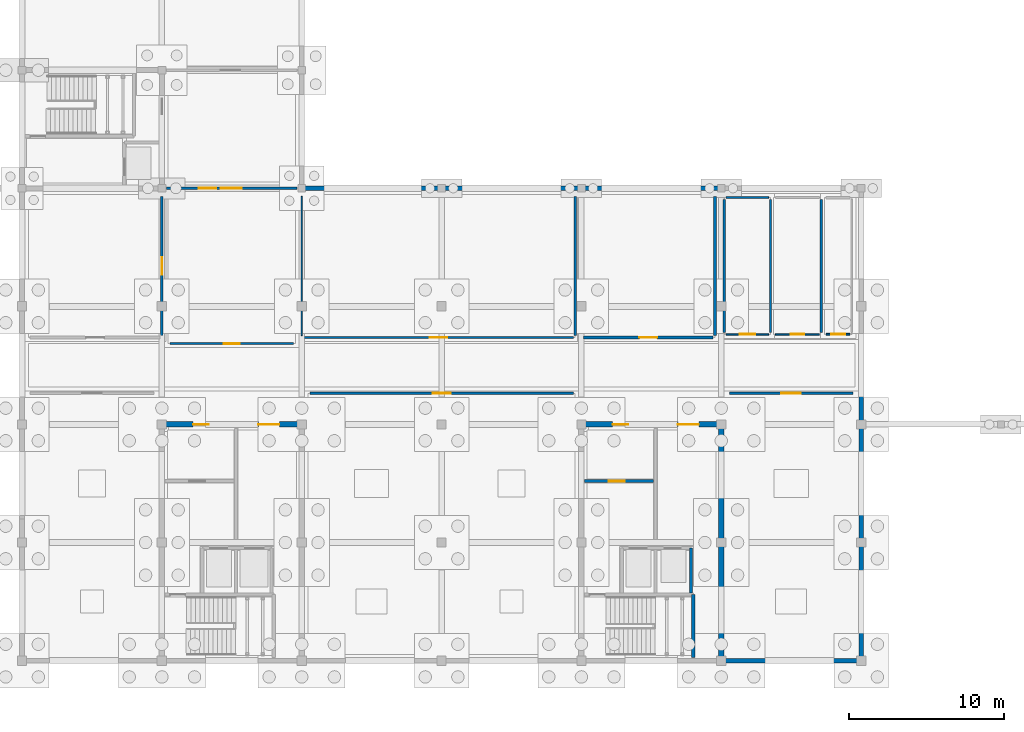
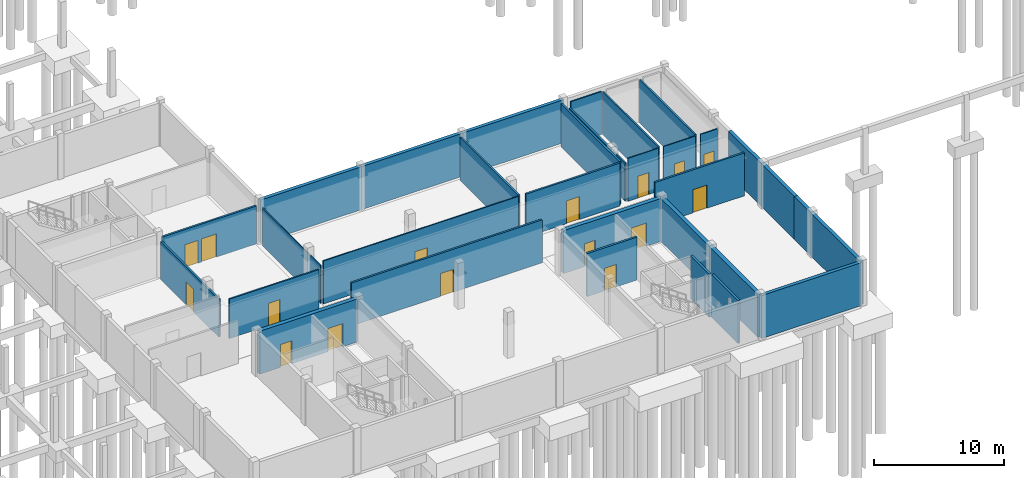
# One storey, part 24 of 28: 29 walls, 16 doors, 16 openings.
"""IFC4 building model written with IfcOpenShell, lengths in metres."""

from ifc_helpers import new_model, si_unit, direction, frame, frame_2d, origin, place, context, subcontext, project, spatial, rectangle, extrude, material, layer, layer_set, type_object, element, fill, save


model = new_model("IFC4")

# Units and contexts
model_context = context("Model", 3, precision=1e-05, world=origin(), true_north=direction((0.0, 1.0)))
body_context = subcontext(model_context, "Body", "Model", "MODEL_VIEW")
ifc_project = project(units=[si_unit("LENGTHUNIT", "METRE"), si_unit("AREAUNIT", "SQUARE_METRE"), si_unit("VOLUMEUNIT", "CUBIC_METRE"), si_unit("PLANEANGLEUNIT", "RADIAN"), si_unit("MASSUNIT", "GRAM", prefix="KILO")], contexts=[model_context])

# Site, building, storey
site_placement = place(None, origin())
site = spatial("IfcSite", under=ifc_project, at=site_placement, CompositionType="ELEMENT")
building_placement = place(site_placement, origin())
building = spatial("IfcBuilding", under=site, at=building_placement, Name="Caisbarro Railhouse Central Library", CompositionType="ELEMENT")
storey_placement = place(building_placement, frame((0.0, 0.0, -4.320068359375)))
storey = spatial("IfcBuildingStorey", under=building, at=storey_placement, Name="B01", CompositionType="ELEMENT", Elevation=-4.320068359375)

# Wall, openings, doors
ifc_material_1 = material(Name="Concrete C40", Category="concrete")
ifc_layer_1 = layer(ifc_material_1, 0.35009765625, Name="Concrete C40")
ifc_layer_set_1 = layer_set([ifc_layer_1], Name="Concrete C40")
wall_type_1 = type_object("IfcWallType", Name="WAL-CW35", PredefinedType="SHEAR", material=ifc_layer_set_1)
wall_1_placement = place(storey_placement, frame((63.159912109375, 15.199951171875, 0.0), z_axis=(0.0, 0.0, 1.0), x_axis=(1.0, 0.0, 0.0)))
wall_1 = element("IfcWall", 1, at=wall_1_placement, inside=storey, type_object=wall_type_1, Name="CW35 RC core shear wall B01 #1", PredefinedType="SHEAR", context=body_context, shape_type="SweptSolid", body=[
    extrude(rectangle(XDim=8.68017578125, YDim=0.35009765625, at=frame_2d((4.340087890625, 0.0))), origin(), (0.0, 0.0, 1.0), 4.0400390625),
])
opening_1_placement = place(wall_1_placement, frame((1.85009765625, 0.0, 0.0)))
opening_1 = element("IfcOpeningElement", 2, at=opening_1_placement, cuts=wall_1, Name="Opening FD05", PredefinedType="OPENING", context=body_context, shape_type="SweptSolid", body=[
    extrude(rectangle(XDim=1.0, YDim=2.14990234375, at=frame_2d((0.5, 1.074951171875))), frame((0.0, 0.18505859375, 0.0), z_axis=(0.0, -1.0, 0.0), x_axis=(1.0, 0.0, 0.0)), (0.0, 0.0, 1.0), 0.3701171875),
])
opening_2_placement = place(wall_1_placement, frame((6.050048828125, 0.0, 0.0)))
opening_2 = element("IfcOpeningElement", 3, at=opening_2_placement, cuts=wall_1, Name="Opening FD06", PredefinedType="OPENING", context=body_context, shape_type="SweptSolid", body=[
    extrude(rectangle(XDim=1.35009765625, YDim=2.179931640625, at=frame_2d((0.675048828125, 1.08984375))), frame((0.0, 0.18505859375, 0.0), z_axis=(0.0, -1.0, 0.0), x_axis=(1.0, 0.0, 0.0)), (0.0, 0.0, 1.0), 0.3701171875),
])
ifc_material_2 = material(Name="Fire-rated painted galvanised steel", Category="steel")
door_type_1 = type_object("IfcDoorType", Name="DR-FD05", OperationType="NOTDEFINED", PredefinedType="DOOR", material=ifc_material_2)
door_1_placement = place(opening_1_placement, origin())
door_1 = element("IfcDoor", 4, at=door_1_placement, inside=storey, type_object=door_type_1, Name="Core K1 Vestibule Door FD05 B01-005", OperationType="SINGLE_SWING_LEFT", OverallHeight=2.14990234375, OverallWidth=1.0, PredefinedType="DOOR", context=body_context, shape_type="SweptSolid", body=[
    extrude(rectangle(XDim=1.0, YDim=2.14990234375, at=frame_2d((0.5, 1.074951171875))), frame((0.0, 0.02490234375, 0.0), z_axis=(0.0, -1.0, 0.0), x_axis=(1.0, 0.0, 0.0)), (0.0, 0.0, 1.0), 0.050048828125),
])
fill(opening_1, door_1)
door_type_2 = type_object("IfcDoorType", Name="DR-FD06", OperationType="NOTDEFINED", PredefinedType="DOOR", material=ifc_material_2)
door_2_placement = place(opening_2_placement, origin())
door_2 = element("IfcDoor", 5, at=door_2_placement, inside=storey, type_object=door_type_2, Name="Core K1 Lift Lobby Door FD06 B01-006", OperationType="SINGLE_SWING_RIGHT", OverallHeight=2.179931640625, OverallWidth=1.35009765625, PredefinedType="DOOR", context=body_context, shape_type="SweptSolid", body=[
    extrude(rectangle(XDim=1.35009765625, YDim=2.179931640625, at=frame_2d((0.675048828125, 1.08984375))), frame((0.0, 0.02490234375, 0.0), z_axis=(0.0, -1.0, 0.0), x_axis=(1.0, 0.0, 0.0)), (0.0, 0.0, 1.0), 0.050048828125),
])
fill(opening_2, door_2)

wall_2_placement = place(storey_placement, frame((90.159912109375, 15.199951171875, 0.0), z_axis=(0.0, 0.0, 1.0), x_axis=(1.0, 0.0, 0.0)))
wall_2 = element("IfcWall", 6, at=wall_2_placement, inside=storey, type_object=wall_type_1, Name="CW35 RC core shear wall B01 #20", PredefinedType="SHEAR", context=body_context, shape_type="SweptSolid", body=[
    extrude(rectangle(XDim=8.68017578125, YDim=0.35009765625, at=frame_2d((4.340087890625, 0.0))), origin(), (0.0, 0.0, 1.0), 4.0400390625),
])
opening_3_placement = place(wall_2_placement, frame((1.85009765625, 0.0, 0.0)))
opening_3 = element("IfcOpeningElement", 7, at=opening_3_placement, cuts=wall_2, Name="Opening FD05", PredefinedType="OPENING", context=body_context, shape_type="SweptSolid", body=[
    extrude(rectangle(XDim=1.0, YDim=2.14990234375, at=frame_2d((0.5, 1.074951171875))), frame((0.0, 0.18505859375, 0.0), z_axis=(0.0, -1.0, 0.0), x_axis=(1.0, 0.0, 0.0)), (0.0, 0.0, 1.0), 0.3701171875),
])
opening_4_placement = place(wall_2_placement, frame((6.050048828125, 0.0, 0.0)))
opening_4 = element("IfcOpeningElement", 8, at=opening_4_placement, cuts=wall_2, Name="Opening FD06", PredefinedType="OPENING", context=body_context, shape_type="SweptSolid", body=[
    extrude(rectangle(XDim=1.35009765625, YDim=2.179931640625, at=frame_2d((0.675048828125, 1.08984375))), frame((0.0, 0.18505859375, 0.0), z_axis=(0.0, -1.0, 0.0), x_axis=(1.0, 0.0, 0.0)), (0.0, 0.0, 1.0), 0.3701171875),
])
door_3_placement = place(opening_3_placement, origin())
door_3 = element("IfcDoor", 9, at=door_3_placement, inside=storey, type_object=door_type_1, Name="Core K2 Vestibule Door FD05 B01-047", OperationType="SINGLE_SWING_LEFT", OverallHeight=2.14990234375, OverallWidth=1.0, PredefinedType="DOOR", context=body_context, shape_type="SweptSolid", body=[
    extrude(rectangle(XDim=1.0, YDim=2.14990234375, at=frame_2d((0.5, 1.074951171875))), frame((0.0, 0.02490234375, 0.0), z_axis=(0.0, -1.0, 0.0), x_axis=(1.0, 0.0, 0.0)), (0.0, 0.0, 1.0), 0.050048828125),
])
fill(opening_3, door_3)
door_4_placement = place(opening_4_placement, origin())
door_4 = element("IfcDoor", 10, at=door_4_placement, inside=storey, type_object=door_type_2, Name="Core K2 Lift Lobby Door FD06 B01-048", OperationType="SINGLE_SWING_RIGHT", OverallHeight=2.179931640625, OverallWidth=1.35009765625, PredefinedType="DOOR", context=body_context, shape_type="SweptSolid", body=[
    extrude(rectangle(XDim=1.35009765625, YDim=2.179931640625, at=frame_2d((0.675048828125, 1.08984375))), frame((0.0, 0.02490234375, 0.0), z_axis=(0.0, -1.0, 0.0), x_axis=(1.0, 0.0, 0.0)), (0.0, 0.0, 1.0), 0.050048828125),
])
fill(opening_4, door_4)

# Walls
wall_3_placement = place(storey_placement, frame((99.0, 0.159912109375, 0.0), z_axis=(0.0, 0.0, 1.0), x_axis=(0.0, 1.0, 0.0)))
element("IfcWall", 11, at=wall_3_placement, inside=storey, type_object=wall_type_1, Name="CW35 RC core shear wall B01 #22", PredefinedType="SHEAR", context=body_context, shape_type="SweptSolid", body=[
    extrude(rectangle(XDim=14.880126953125, YDim=0.35009765625, at=frame_2d((7.43994140625, 0.0))), origin(), (0.0, 0.0, 1.0), 4.0400390625),
])
ifc_layer_2 = layer(ifc_material_1, 0.300048828125, Name="Concrete C40")
ifc_layer_set_2 = layer_set([ifc_layer_2], Name="Concrete C40")
wall_type_2 = type_object("IfcWallType", Name="WAL-EW30", PredefinedType="SOLIDWALL", material=ifc_layer_set_2)
wall_4_placement = place(storey_placement, frame((99.0, 0.0, 0.0), z_axis=(0.0, 0.0, 1.0), x_axis=(1.0, 0.0, 0.0)))
element("IfcWall", 12, at=wall_4_placement, inside=storey, type_object=wall_type_2, Name="EW30 exterior wall B01 #6", PredefinedType="SOLIDWALL", context=body_context, shape_type="SweptSolid", body=[
    extrude(rectangle(XDim=9.0, YDim=0.300048828125, at=frame_2d((4.5, 0.0))), origin(), (0.0, 0.0, 1.0), 4.0400390625),
])
for number, where, z_axis, x_axis, name in (
    (13, (108.0, 0.0, 0.0), (0.0, 0.0, 1.0), (0.0, 1.0, 0.0), "EW30 exterior wall B01 #7"),
    (14, (108.0, 10.13330078125, 0.0), (0.0, 0.0, 1.0), (0.0, 1.0, 0.0), "EW30 exterior wall B01 #8"),
):
    element("IfcWall", number, at=place(storey_placement, frame(where, z_axis=z_axis, x_axis=x_axis)), inside=storey, type_object=wall_type_2, Name=name, PredefinedType="SOLIDWALL", context=body_context, shape_type="SweptSolid", body=[
        extrude(rectangle(XDim=10.13330078125, YDim=0.300048828125, at=frame_2d((5.066650390625, 0.0))), origin(), (0.0, 0.0, 1.0), 4.0400390625),
    ])
for number, where, z_axis, x_axis, name in (
    (15, (99.0, 30.39990234375, 0.0), (0.0, 0.0, 1.0), (-1.0, 0.0, 0.0), "EW30 exterior wall B01 #11"),
    (16, (90.0, 30.39990234375, 0.0), (0.0, 0.0, 1.0), (-1.0, 0.0, 0.0), "EW30 exterior wall B01 #12"),
    (17, (81.0, 30.39990234375, 0.0), (0.0, 0.0, 1.0), (-1.0, 0.0, 0.0), "EW30 exterior wall B01 #13"),
):
    element("IfcWall", number, at=place(storey_placement, frame(where, z_axis=z_axis, x_axis=x_axis)), inside=storey, type_object=wall_type_2, Name=name, PredefinedType="SOLIDWALL", context=body_context, shape_type="SweptSolid", body=[
        extrude(rectangle(XDim=9.0, YDim=0.300048828125, at=frame_2d((4.5, 0.0))), origin(), (0.0, 0.0, 1.0), 4.0400390625),
    ])
ifc_material_3 = material(Name="Acoustic gypsum board on galvanised steel studs", Category="steel")
ifc_layer_3 = layer(ifc_material_3, 0.090087890625, Name="Acoustic gypsum board on galvanised steel studs")
ifc_layer_set_3 = layer_set([ifc_layer_3], Name="Acoustic gypsum board on galvanised steel studs")
wall_type_3 = type_object("IfcWallType", Name="WAL-IW09", PredefinedType="PARTITIONING", material=ifc_layer_set_3)
wall_5_placement = place(storey_placement, frame((72.0, 20.919921875, 0.0), z_axis=(0.0, 0.0, 1.0), x_axis=(0.0, 1.0, 0.0)))
element("IfcWall", 18, at=wall_5_placement, inside=storey, type_object=wall_type_3, Name="IW09 partition wall B01 #243", PredefinedType="PARTITIONING", context=body_context, shape_type="SweptSolid", body=[
    extrude(rectangle(XDim=8.9599609375, YDim=0.090087890625, at=frame_2d((4.47998046875, 0.0))), origin(), (0.0, 0.0, 1.0), 3.55908203125),
])

# Wall, opening, door
wall_6_placement = place(storey_placement, frame((99.320068359375, 21.0, 0.0), z_axis=(0.0, 0.0, 1.0), x_axis=(1.0, 0.0, 0.0)))
wall_6 = element("IfcWall", 19, at=wall_6_placement, inside=storey, type_object=wall_type_3, Name="IW09 partition wall B01 #247", PredefinedType="PARTITIONING", context=body_context, shape_type="SweptSolid", body=[
    extrude(rectangle(XDim=2.72802734375, YDim=0.090087890625, at=frame_2d((1.364013671875, 0.0))), origin(), (0.0, 0.0, 1.0), 4.0400390625),
])
opening_5_placement = place(wall_6_placement, frame((0.8740234375, 0.0, 0.0)))
opening_5 = element("IfcOpeningElement", 20, at=opening_5_placement, cuts=wall_6, Name="Opening ID04", PredefinedType="OPENING", context=body_context, shape_type="SweptSolid", body=[
    extrude(rectangle(XDim=0.97998046875, YDim=2.06005859375, at=frame_2d((0.489990234375, 1.030029296875))), frame((0.0, 0.05517578125, 0.0), z_axis=(0.0, -1.0, 0.0), x_axis=(1.0, 0.0, 0.0)), (0.0, 0.0, 1.0), 0.110107421875),
])
ifc_material_4 = material(Name="Solid-core tropical hardwood veneer", Category="wood")
door_type_3 = type_object("IfcDoorType", Name="DR-ID04", OperationType="NOTDEFINED", PredefinedType="DOOR", material=ifc_material_4)
door_5_placement = place(opening_5_placement, origin())
door_5 = element("IfcDoor", 21, at=door_5_placement, inside=storey, type_object=door_type_3, Name="Male WC B01 Door ID04 B01-167", OperationType="SINGLE_SWING_LEFT", OverallHeight=2.06005859375, OverallWidth=0.97998046875, PredefinedType="DOOR", context=body_context, shape_type="SweptSolid", body=[
    extrude(rectangle(XDim=0.97998046875, YDim=2.06005859375, at=frame_2d((0.489990234375, 1.030029296875))), frame((0.0, 0.02490234375, 0.0), z_axis=(0.0, -1.0, 0.0), x_axis=(1.0, 0.0, 0.0)), (0.0, 0.0, 1.0), 0.050048828125),
])
fill(opening_5, door_5)

wall_7_placement = place(storey_placement, frame((102.488037109375, 21.0, 0.0), z_axis=(0.0, 0.0, 1.0), x_axis=(1.0, 0.0, 0.0)))
wall_7 = element("IfcWall", 22, at=wall_7_placement, inside=storey, type_object=wall_type_3, Name="IW09 partition wall B01 #251", PredefinedType="PARTITIONING", context=body_context, shape_type="SweptSolid", body=[
    extrude(rectangle(XDim=2.827880859375, YDim=0.090087890625, at=frame_2d((1.4140625, 0.0))), origin(), (0.0, 0.0, 1.0), 4.0400390625),
])
opening_6_placement = place(wall_7_placement, frame((0.98388671875, 0.0, 0.0)))
opening_6 = element("IfcOpeningElement", 23, at=opening_6_placement, cuts=wall_7, Name="Opening ID01", PredefinedType="OPENING", context=body_context, shape_type="SweptSolid", body=[
    extrude(rectangle(XDim=0.860107421875, YDim=2.06005859375, at=frame_2d((0.43017578125, 1.030029296875))), frame((0.0, 0.05517578125, 0.0), z_axis=(0.0, -1.0, 0.0), x_axis=(1.0, 0.0, 0.0)), (0.0, 0.0, 1.0), 0.110107421875),
])
door_type_4 = type_object("IfcDoorType", Name="DR-ID01", OperationType="NOTDEFINED", PredefinedType="DOOR", material=ifc_material_4)
door_6_placement = place(opening_6_placement, origin())
door_6 = element("IfcDoor", 24, at=door_6_placement, inside=storey, type_object=door_type_4, Name="Female WC B01 Door ID01 B01-168", OperationType="SINGLE_SWING_RIGHT", OverallHeight=2.06005859375, OverallWidth=0.860107421875, PredefinedType="DOOR", context=body_context, shape_type="SweptSolid", body=[
    extrude(rectangle(XDim=0.860107421875, YDim=2.06005859375, at=frame_2d((0.43017578125, 1.030029296875))), frame((0.0, 0.02490234375, 0.0), z_axis=(0.0, -1.0, 0.0), x_axis=(1.0, 0.0, 0.0)), (0.0, 0.0, 1.0), 0.050048828125),
])
fill(opening_6, door_6)

ifc_layer_4 = layer(ifc_material_3, 0.110107421875, Name="Acoustic gypsum board on galvanised steel studs")
ifc_layer_set_4 = layer_set([ifc_layer_4], Name="Acoustic gypsum board on galvanised steel studs")
wall_type_4 = type_object("IfcWallType", Name="WAL-IW11", PredefinedType="PARTITIONING", material=ifc_layer_set_4)
wall_8_placement = place(storey_placement, frame((72.1201171875, 20.800048828125, 0.0), z_axis=(0.0, 0.0, 1.0), x_axis=(1.0, 0.0, 0.0)))
wall_8 = element("IfcWall", 25, at=wall_8_placement, inside=storey, type_object=wall_type_4, Name="IW11 partition wall B01 #242", PredefinedType="PARTITIONING", context=body_context, shape_type="SweptSolid", body=[
    extrude(rectangle(XDim=17.35986328125, YDim=0.110107421875, at=frame_2d((8.679931640625, 0.0))), origin(), (0.0, 0.0, 1.0), 4.0400390625),
])
opening_7_placement = place(wall_8_placement, frame((8.1298828125, 0.0, 0.0)))
opening_7 = element("IfcOpeningElement", 26, at=opening_7_placement, cuts=wall_8, Name="Opening ID06", PredefinedType="OPENING", context=body_context, shape_type="SweptSolid", body=[
    extrude(rectangle(XDim=1.10009765625, YDim=2.06005859375, at=frame_2d((0.550048828125, 1.030029296875))), frame((0.0, 0.06494140625, 0.0), z_axis=(0.0, -1.0, 0.0), x_axis=(1.0, 0.0, 0.0)), (0.0, 0.0, 1.0), 0.130126953125),
])
door_type_5 = type_object("IfcDoorType", Name="DR-ID06", OperationType="NOTDEFINED", PredefinedType="DOOR", material=ifc_material_4)
door_7_placement = place(opening_7_placement, origin())
door_7 = element("IfcDoor", 27, at=door_7_placement, inside=storey, type_object=door_type_5, Name="Book Quarantine and Anoxia Lab Door ID06 B01-165", OperationType="SINGLE_SWING_LEFT", OverallHeight=2.06005859375, OverallWidth=1.10009765625, PredefinedType="DOOR", context=body_context, shape_type="SweptSolid", body=[
    extrude(rectangle(XDim=1.10009765625, YDim=2.06005859375, at=frame_2d((0.550048828125, 1.030029296875))), frame((0.0, 0.02490234375, 0.0), z_axis=(0.0, -1.0, 0.0), x_axis=(1.0, 0.0, 0.0)), (0.0, 0.0, 1.0), 0.050048828125),
])
fill(opening_7, door_7)

# Wall
wall_9_placement = place(storey_placement, frame((99.320068359375, 29.800048828125, 0.0), z_axis=(0.0, 0.0, 1.0), x_axis=(1.0, 0.0, 0.0)))
element("IfcWall", 28, at=wall_9_placement, inside=storey, type_object=wall_type_4, Name="IW11 partition wall B01 #250", PredefinedType="PARTITIONING", context=body_context, shape_type="SweptSolid", body=[
    extrude(rectangle(XDim=2.72802734375, YDim=0.110107421875, at=frame_2d((1.364013671875, 0.0))), origin(), (0.0, 0.0, 1.0), 4.0400390625),
])

# Wall, opening, door
wall_10_placement = place(storey_placement, frame((105.756103515625, 21.0, 0.0), z_axis=(0.0, 0.0, 1.0), x_axis=(1.0, 0.0, 0.0)))
wall_10 = element("IfcWall", 29, at=wall_10_placement, inside=storey, type_object=wall_type_4, Name="IW11 partition wall B01 #254", PredefinedType="PARTITIONING", context=body_context, shape_type="SweptSolid", body=[
    extrude(rectangle(XDim=1.52392578125, YDim=0.110107421875, at=frame_2d((0.761962890625, 0.0))), origin(), (0.0, 0.0, 1.0), 4.0400390625),
])
opening_8_placement = place(wall_10_placement, frame((0.31201171875, 0.0, 0.0)))
opening_8 = element("IfcOpeningElement", 30, at=opening_8_placement, cuts=wall_10, Name="Opening ID02", PredefinedType="OPENING", context=body_context, shape_type="SweptSolid", body=[
    extrude(rectangle(XDim=0.89990234375, YDim=2.06005859375, at=frame_2d((0.449951171875, 1.030029296875))), frame((0.0, 0.06494140625, 0.0), z_axis=(0.0, -1.0, 0.0), x_axis=(1.0, 0.0, 0.0)), (0.0, 0.0, 1.0), 0.130126953125),
])
door_type_6 = type_object("IfcDoorType", Name="DR-ID02", OperationType="NOTDEFINED", PredefinedType="DOOR", material=ifc_material_4)
door_8_placement = place(opening_8_placement, origin())
door_8 = element("IfcDoor", 31, at=door_8_placement, inside=storey, type_object=door_type_6, Name="Accessible WC B01 Door ID02 B01-169", OperationType="SINGLE_SWING_LEFT", OverallHeight=2.06005859375, OverallWidth=0.89990234375, PredefinedType="DOOR", context=body_context, shape_type="SweptSolid", body=[
    extrude(rectangle(XDim=0.89990234375, YDim=2.06005859375, at=frame_2d((0.449951171875, 1.030029296875))), frame((0.0, 0.02490234375, 0.0), z_axis=(0.0, -1.0, 0.0), x_axis=(1.0, 0.0, 0.0)), (0.0, 0.0, 1.0), 0.050048828125),
])
fill(opening_8, door_8)

# Wall
ifc_layer_5 = layer(ifc_material_3, 0.1298828125, Name="Acoustic gypsum board on galvanised steel studs")
ifc_layer_set_5 = layer_set([ifc_layer_5], Name="Acoustic gypsum board on galvanised steel studs")
wall_type_5 = type_object("IfcWallType", Name="WAL-IW13", PredefinedType="PARTITIONING", material=ifc_layer_set_5)
wall_11_placement = place(storey_placement, frame((102.16796875, 21.1201171875, 0.0), z_axis=(0.0, 0.0, 1.0), x_axis=(0.0, 1.0, 0.0)))
element("IfcWall", 32, at=wall_11_placement, inside=storey, type_object=wall_type_5, Name="IW13 partition wall B01 #249", PredefinedType="PARTITIONING", context=body_context, shape_type="SweptSolid", body=[
    extrude(rectangle(XDim=8.559814453125, YDim=0.1298828125, at=frame_2d((4.27978515625, 0.0))), origin(), (0.0, 0.0, 1.0), 4.0400390625),
])

# Wall, opening, door
wall_12_placement = place(storey_placement, frame((63.52001953125, 20.39990234375, 0.0), z_axis=(0.0, 0.0, 1.0), x_axis=(1.0, 0.0, 0.0)))
wall_12 = element("IfcWall", 33, at=wall_12_placement, inside=storey, type_object=wall_type_5, Name="IW13 partition wall B01 #257", PredefinedType="PARTITIONING", context=body_context, shape_type="SweptSolid", body=[
    extrude(rectangle(XDim=7.9599609375, YDim=0.1298828125, at=frame_2d((3.97998046875, 0.0))), origin(), (0.0, 0.0, 1.0), 3.711181640625),
])
opening_9_placement = place(wall_12_placement, frame((3.469970703125, 0.0, 0.0)))
opening_9 = element("IfcOpeningElement", 34, at=opening_9_placement, cuts=wall_12, Name="Opening ID12", PredefinedType="OPENING", context=body_context, shape_type="SweptSolid", body=[
    extrude(rectangle(XDim=1.02001953125, YDim=2.10009765625, at=frame_2d((0.510009765625, 1.050048828125))), frame((0.0, 0.074951171875, 0.0), z_axis=(0.0, -1.0, 0.0), x_axis=(1.0, 0.0, 0.0)), (0.0, 0.0, 1.0), 0.14990234375),
])
door_type_7 = type_object("IfcDoorType", Name="DR-ID12", OperationType="NOTDEFINED", PredefinedType="DOOR", material=ifc_material_4)
door_9_placement = place(opening_9_placement, origin())
door_9 = element("IfcDoor", 35, at=door_9_placement, inside=storey, type_object=door_type_7, Name="North Basement Link Corridor Door ID12 B01-171", OperationType="SINGLE_SWING_LEFT", OverallHeight=2.10009765625, OverallWidth=1.02001953125, PredefinedType="DOOR", context=body_context, shape_type="SweptSolid", body=[
    extrude(rectangle(XDim=1.02001953125, YDim=2.10009765625, at=frame_2d((0.510009765625, 1.050048828125))), frame((0.0, 0.02490234375, 0.0), z_axis=(0.0, -1.0, 0.0), x_axis=(1.0, 0.0, 0.0)), (0.0, 0.0, 1.0), 0.050048828125),
])
fill(opening_9, door_9)

# Walls
ifc_layer_6 = layer(ifc_material_3, 0.14990234375, Name="Acoustic gypsum board on galvanised steel studs")
ifc_layer_set_6 = layer_set([ifc_layer_6], Name="Acoustic gypsum board on galvanised steel studs")
wall_type_6 = type_object("IfcWallType", Name="WAL-IW15", PredefinedType="PARTITIONING", material=ifc_layer_set_6)
wall_13_placement = place(storey_placement, frame((89.60009765625, 20.919921875, 0.0), z_axis=(0.0, 0.0, 1.0), x_axis=(0.0, 1.0, 0.0)))
element("IfcWall", 36, at=wall_13_placement, inside=storey, type_object=wall_type_6, Name="IW15 partition wall B01 #244", PredefinedType="PARTITIONING", context=body_context, shape_type="SweptSolid", body=[
    extrude(rectangle(XDim=8.9599609375, YDim=0.14990234375, at=frame_2d((4.47998046875, 0.0))), origin(), (0.0, 0.0, 1.0), 4.0400390625),
])
wall_14_placement = place(storey_placement, frame((99.199951171875, 21.1201171875, 0.0), z_axis=(0.0, 0.0, 1.0), x_axis=(0.0, 1.0, 0.0)))
element("IfcWall", 37, at=wall_14_placement, inside=storey, type_object=wall_type_6, Name="IW15 partition wall B01 #248", PredefinedType="PARTITIONING", context=body_context, shape_type="SweptSolid", body=[
    extrude(rectangle(XDim=8.559814453125, YDim=0.14990234375, at=frame_2d((4.27978515625, 0.0))), origin(), (0.0, 0.0, 1.0), 3.55908203125),
])
wall_15_placement = place(storey_placement, frame((105.43603515625, 21.1201171875, 0.0), z_axis=(0.0, 0.0, 1.0), x_axis=(0.0, 1.0, 0.0)))
element("IfcWall", 38, at=wall_15_placement, inside=storey, type_object=wall_type_6, Name="IW15 partition wall B01 #252", PredefinedType="PARTITIONING", context=body_context, shape_type="SweptSolid", body=[
    extrude(rectangle(XDim=8.559814453125, YDim=0.14990234375, at=frame_2d((4.27978515625, 0.0))), origin(), (0.0, 0.0, 1.0), 4.0400390625),
])

# Wall, openings, doors
ifc_material_5 = material(Name="Plastered cellular concrete masonry", Category="masonry")
ifc_layer_7 = layer(ifc_material_5, 0.169921875, Name="Plastered cellular concrete masonry")
ifc_layer_set_7 = layer_set([ifc_layer_7], Name="Plastered cellular concrete masonry")
wall_type_7 = type_object("IfcWallType", Name="WAL-IW17", PredefinedType="PARTITIONING", material=ifc_layer_set_7)
wall_16_placement = place(storey_placement, frame((63.300048828125, 30.39990234375, 0.0), z_axis=(0.0, 0.0, 1.0), x_axis=(1.0, 0.0, 0.0)))
wall_16 = element("IfcWall", 39, at=wall_16_placement, inside=storey, type_object=wall_type_7, Name="IW17 partition wall B01 #235", PredefinedType="PARTITIONING", context=body_context, shape_type="SweptSolid", body=[
    extrude(rectangle(XDim=8.39990234375, YDim=0.169921875, at=frame_2d((4.199951171875, 0.0))), origin(), (0.0, 0.0, 1.0), 3.571044921875),
])
opening_10_placement = place(wall_16_placement, frame((3.5, 0.0, 0.0)))
opening_10 = element("IfcOpeningElement", 40, at=opening_10_placement, cuts=wall_16, Name="Opening FD06", PredefinedType="OPENING", context=body_context, shape_type="SweptSolid", body=[
    extrude(rectangle(XDim=1.35009765625, YDim=2.179931640625, at=frame_2d((0.675048828125, 1.08984375))), frame((0.0, 0.094970703125, 0.0), z_axis=(0.0, -1.0, 0.0), x_axis=(1.0, 0.0, 0.0)), (0.0, 0.0, 1.0), 0.18994140625),
])
opening_11_placement = place(wall_16_placement, frame((2.06005859375, 0.0, 0.0)))
opening_11 = element("IfcOpeningElement", 41, at=opening_11_placement, cuts=wall_16, Name="Opening FD03", PredefinedType="OPENING", context=body_context, shape_type="SweptSolid", body=[
    extrude(rectangle(XDim=1.14990234375, YDim=2.14990234375, at=frame_2d((0.574951171875, 1.074951171875))), frame((0.0, 0.094970703125, 0.0), z_axis=(0.0, -1.0, 0.0), x_axis=(1.0, 0.0, 0.0)), (0.0, 0.0, 1.0), 0.18994140625),
])
door_type_8 = type_object("IfcDoorType", Name="DR-FD03", OperationType="NOTDEFINED", PredefinedType="DOOR", material=ifc_material_2)
door_10_placement = place(opening_11_placement, origin())
door_10 = element("IfcDoor", 42, at=door_10_placement, inside=storey, type_object=door_type_8, Name="North Basement Vestibule Door FD03 B01-172", OperationType="SINGLE_SWING_RIGHT", OverallHeight=2.14990234375, OverallWidth=1.14990234375, PredefinedType="DOOR", context=body_context, shape_type="SweptSolid", body=[
    extrude(rectangle(XDim=1.14990234375, YDim=2.14990234375, at=frame_2d((0.574951171875, 1.074951171875))), frame((0.0, 0.02490234375, 0.0), z_axis=(0.0, -1.0, 0.0), x_axis=(1.0, 0.0, 0.0)), (0.0, 0.0, 1.0), 0.050048828125),
])
fill(opening_11, door_10)
door_11_placement = place(opening_10_placement, origin())
door_11 = element("IfcDoor", 43, at=door_11_placement, inside=storey, type_object=door_type_2, Name="Basement Link Door FD06 B01-159", OperationType="SINGLE_SWING_LEFT", OverallHeight=2.179931640625, OverallWidth=1.35009765625, PredefinedType="DOOR", context=body_context, shape_type="SweptSolid", body=[
    extrude(rectangle(XDim=1.35009765625, YDim=2.179931640625, at=frame_2d((0.675048828125, 1.08984375))), frame((0.0, 0.02490234375, 0.0), z_axis=(0.0, -1.0, 0.0), x_axis=(1.0, 0.0, 0.0)), (0.0, 0.0, 1.0), 0.050048828125),
])
fill(opening_10, door_11)

# Wall, opening, door
wall_17_placement = place(storey_placement, frame((72.52001953125, 17.199951171875, 0.0), z_axis=(0.0, 0.0, 1.0), x_axis=(1.0, 0.0, 0.0)))
wall_17 = element("IfcWall", 44, at=wall_17_placement, inside=storey, type_object=wall_type_7, Name="IW17 partition wall B01 #238", PredefinedType="PARTITIONING", context=body_context, shape_type="SweptSolid", body=[
    extrude(rectangle(XDim=16.9599609375, YDim=0.169921875, at=frame_2d((8.47998046875, 0.0))), origin(), (0.0, 0.0, 1.0), 4.0400390625),
])
opening_12_placement = place(wall_17_placement, frame((7.905029296875, 0.0, 0.0)))
opening_12 = element("IfcOpeningElement", 45, at=opening_12_placement, cuts=wall_17, Name="Opening FD03", PredefinedType="OPENING", context=body_context, shape_type="SweptSolid", body=[
    extrude(rectangle(XDim=1.14990234375, YDim=2.14990234375, at=frame_2d((0.574951171875, 1.074951171875))), frame((0.0, 0.094970703125, 0.0), z_axis=(0.0, -1.0, 0.0), x_axis=(1.0, 0.0, 0.0)), (0.0, 0.0, 1.0), 0.18994140625),
])
door_12_placement = place(opening_12_placement, origin())
door_12 = element("IfcDoor", 46, at=door_12_placement, inside=storey, type_object=door_type_8, Name="Rare-Books Climate Vault Door FD03 B01-162", OperationType="SINGLE_SWING_RIGHT", OverallHeight=2.14990234375, OverallWidth=1.14990234375, PredefinedType="DOOR", context=body_context, shape_type="SweptSolid", body=[
    extrude(rectangle(XDim=1.14990234375, YDim=2.14990234375, at=frame_2d((0.574951171875, 1.074951171875))), frame((0.0, 0.02490234375, 0.0), z_axis=(0.0, -1.0, 0.0), x_axis=(1.0, 0.0, 0.0)), (0.0, 0.0, 1.0), 0.050048828125),
])
fill(opening_12, door_12)

wall_18_placement = place(storey_placement, frame((99.52001953125, 17.199951171875, 0.0), z_axis=(0.0, 0.0, 1.0), x_axis=(1.0, 0.0, 0.0)))
wall_18 = element("IfcWall", 47, at=wall_18_placement, inside=storey, type_object=wall_type_7, Name="IW17 partition wall B01 #239", PredefinedType="PARTITIONING", context=body_context, shape_type="SweptSolid", body=[
    extrude(rectangle(XDim=7.9599609375, YDim=0.169921875, at=frame_2d((3.97998046875, 0.0))), origin(), (0.0, 0.0, 1.0), 4.0400390625),
])
opening_13_placement = place(wall_18_placement, frame((3.35498046875, 0.0, 0.0)))
opening_13 = element("IfcOpeningElement", 48, at=opening_13_placement, cuts=wall_18, Name="Opening FD04", PredefinedType="OPENING", context=body_context, shape_type="SweptSolid", body=[
    extrude(rectangle(XDim=1.25, YDim=2.179931640625, at=frame_2d((0.625, 1.08984375))), frame((0.0, 0.094970703125, 0.0), z_axis=(0.0, -1.0, 0.0), x_axis=(1.0, 0.0, 0.0)), (0.0, 0.0, 1.0), 0.18994140625),
])
door_type_9 = type_object("IfcDoorType", Name="DR-FD04", OperationType="NOTDEFINED", PredefinedType="DOOR", material=ifc_material_2)
door_13_placement = place(opening_13_placement, origin())
door_13 = element("IfcDoor", 49, at=door_13_placement, inside=storey, type_object=door_type_9, Name="Electrical Substation and Switchroom Door FD04 B01-163", OperationType="SINGLE_SWING_LEFT", OverallHeight=2.179931640625, OverallWidth=1.25, PredefinedType="DOOR", context=body_context, shape_type="SweptSolid", body=[
    extrude(rectangle(XDim=1.25, YDim=2.179931640625, at=frame_2d((0.625, 1.08984375))), frame((0.0, 0.02490234375, 0.0), z_axis=(0.0, -1.0, 0.0), x_axis=(1.0, 0.0, 0.0)), (0.0, 0.0, 1.0), 0.050048828125),
])
fill(opening_13, door_13)

wall_19_placement = place(storey_placement, frame((63.0, 20.919921875, 0.0), z_axis=(0.0, 0.0, 1.0), x_axis=(0.0, 1.0, 0.0)))
wall_19 = element("IfcWall", 50, at=wall_19_placement, inside=storey, type_object=wall_type_7, Name="IW17 partition wall B01 #240", PredefinedType="PARTITIONING", context=body_context, shape_type="SweptSolid", body=[
    extrude(rectangle(XDim=8.9599609375, YDim=0.169921875, at=frame_2d((4.47998046875, 0.0))), origin(), (0.0, 0.0, 1.0), 3.55908203125),
])
opening_14_placement = place(wall_19_placement, frame((3.905029296875, 0.0, 0.0)))
opening_14 = element("IfcOpeningElement", 51, at=opening_14_placement, cuts=wall_19, Name="Opening FD03", PredefinedType="OPENING", context=body_context, shape_type="SweptSolid", body=[
    extrude(rectangle(XDim=1.14990234375, YDim=2.14990234375, at=frame_2d((0.574951171875, 1.074951171875))), frame((0.0, 0.094970703125, 0.0), z_axis=(0.0, -1.0, 0.0), x_axis=(1.0, 0.0, 0.0)), (0.0, 0.0, 1.0), 0.18994140625),
])
door_14_placement = place(opening_14_placement, origin())
door_14 = element("IfcDoor", 52, at=door_14_placement, inside=storey, type_object=door_type_8, Name="Compact Mobile Shelving Archive Door FD03 B01-164", OperationType="SINGLE_SWING_RIGHT", OverallHeight=2.14990234375, OverallWidth=1.14990234375, PredefinedType="DOOR", context=body_context, shape_type="SweptSolid", body=[
    extrude(rectangle(XDim=1.14990234375, YDim=2.14990234375, at=frame_2d((0.574951171875, 1.074951171875))), frame((0.0, 0.02490234375, 0.0), z_axis=(0.0, -1.0, 0.0), x_axis=(1.0, 0.0, 0.0)), (0.0, 0.0, 1.0), 0.050048828125),
])
fill(opening_14, door_14)

wall_20_placement = place(storey_placement, frame((90.1201171875, 20.800048828125, 0.0), z_axis=(0.0, 0.0, 1.0), x_axis=(1.0, 0.0, 0.0)))
wall_20 = element("IfcWall", 53, at=wall_20_placement, inside=storey, type_object=wall_type_7, Name="IW17 partition wall B01 #245", PredefinedType="PARTITIONING", context=body_context, shape_type="SweptSolid", body=[
    extrude(rectangle(XDim=8.35986328125, YDim=0.169921875, at=frame_2d((4.179931640625, 0.0))), origin(), (0.0, 0.0, 1.0), 4.0400390625),
])
opening_15_placement = place(wall_20_placement, frame((3.60498046875, 0.0, 0.0)))
opening_15 = element("IfcOpeningElement", 54, at=opening_15_placement, cuts=wall_20, Name="Opening FD03", PredefinedType="OPENING", context=body_context, shape_type="SweptSolid", body=[
    extrude(rectangle(XDim=1.14990234375, YDim=2.14990234375, at=frame_2d((0.574951171875, 1.074951171875))), frame((0.0, 0.094970703125, 0.0), z_axis=(0.0, -1.0, 0.0), x_axis=(1.0, 0.0, 0.0)), (0.0, 0.0, 1.0), 0.18994140625),
])
door_15_placement = place(opening_15_placement, origin())
door_15 = element("IfcDoor", 55, at=door_15_placement, inside=storey, type_object=door_type_8, Name="Digital Audio-Visual Archive Door FD03 B01-166", OperationType="SINGLE_SWING_RIGHT", OverallHeight=2.14990234375, OverallWidth=1.14990234375, PredefinedType="DOOR", context=body_context, shape_type="SweptSolid", body=[
    extrude(rectangle(XDim=1.14990234375, YDim=2.14990234375, at=frame_2d((0.574951171875, 1.074951171875))), frame((0.0, 0.02490234375, 0.0), z_axis=(0.0, -1.0, 0.0), x_axis=(1.0, 0.0, 0.0)), (0.0, 0.0, 1.0), 0.050048828125),
])
fill(opening_15, door_15)

# Wall
wall_21_placement = place(storey_placement, frame((98.60009765625, 20.919921875, 0.0), z_axis=(0.0, 0.0, 1.0), x_axis=(0.0, 1.0, 0.0)))
element("IfcWall", 56, at=wall_21_placement, inside=storey, type_object=wall_type_7, Name="IW17 partition wall B01 #246", PredefinedType="PARTITIONING", context=body_context, shape_type="SweptSolid", body=[
    extrude(rectangle(XDim=8.9599609375, YDim=0.169921875, at=frame_2d((4.47998046875, 0.0))), origin(), (0.0, 0.0, 1.0), 4.0400390625),
])

# Wall, opening, door
ifc_layer_8 = layer(ifc_material_5, 0.18994140625, Name="Plastered cellular concrete masonry")
ifc_layer_set_8 = layer_set([ifc_layer_8], Name="Plastered cellular concrete masonry")
wall_type_8 = type_object("IfcWallType", Name="WAL-SW19", PredefinedType="SOLIDWALL", material=ifc_layer_set_8)
wall_22_placement = place(storey_placement, frame((90.199951171875, 11.550048828125, 0.0), z_axis=(0.0, 0.0, 1.0), x_axis=(1.0, 0.0, 0.0)))
wall_22 = element("IfcWall", 57, at=wall_22_placement, inside=storey, type_object=wall_type_8, Name="SW19 partition wall B01 #56", PredefinedType="SOLIDWALL", context=body_context, shape_type="SweptSolid", body=[
    extrude(rectangle(XDim=4.449951171875, YDim=0.18994140625, at=frame_2d((2.22509765625, 0.0))), origin(), (0.0, 0.0, 1.0), 4.0400390625),
])
opening_16_placement = place(wall_22_placement, frame((1.550048828125, 0.0, 0.0)))
opening_16 = element("IfcOpeningElement", 58, at=opening_16_placement, cuts=wall_22, Name="Opening FD02", PredefinedType="OPENING", context=body_context, shape_type="SweptSolid", body=[
    extrude(rectangle(XDim=1.050048828125, YDim=2.1201171875, at=frame_2d((0.52490234375, 1.06005859375))), frame((0.0, 0.10498046875, 0.0), z_axis=(0.0, -1.0, 0.0), x_axis=(1.0, 0.0, 0.0)), (0.0, 0.0, 1.0), 0.2099609375),
])
door_type_10 = type_object("IfcDoorType", Name="DR-FD02", OperationType="NOTDEFINED", PredefinedType="DOOR", material=ifc_material_2)
door_16_placement = place(opening_16_placement, origin())
door_16 = element("IfcDoor", 59, at=door_16_placement, inside=storey, type_object=door_type_10, Name="Firefighting Lobby K2 Door FD02 B01-046", OperationType="SINGLE_SWING_RIGHT", OverallHeight=2.1201171875, OverallWidth=1.050048828125, PredefinedType="DOOR", context=body_context, shape_type="SweptSolid", body=[
    extrude(rectangle(XDim=1.050048828125, YDim=2.1201171875, at=frame_2d((0.52490234375, 1.06005859375))), frame((0.0, 0.02490234375, 0.0), z_axis=(0.0, -1.0, 0.0), x_axis=(1.0, 0.0, 0.0)), (0.0, 0.0, 1.0), 0.050048828125),
])
fill(opening_16, door_16)

# Walls
ifc_layer_9 = layer(ifc_material_1, 0.2099609375, Name="Concrete C40")
ifc_layer_set_9 = layer_set([ifc_layer_9], Name="Concrete C40")
wall_type_9 = type_object("IfcWallType", Name="WAL-SW21", PredefinedType="SOLIDWALL", material=ifc_layer_set_9)
wall_23_placement = place(storey_placement, frame((97.199951171875, 0.199951171875, 0.0), z_axis=(0.0, 0.0, 1.0), x_axis=(0.0, 1.0, 0.0)))
element("IfcWall", 60, at=wall_23_placement, inside=storey, type_object=wall_type_9, Name="SW21 core shaft wall B01 #51", PredefinedType="SOLIDWALL", context=body_context, shape_type="SweptSolid", body=[
    extrude(rectangle(XDim=4.050048828125, YDim=0.2099609375, at=frame_2d((2.02490234375, 0.0))), origin(), (0.0, 0.0, 1.0), 4.0400390625),
])
wall_24_placement = place(storey_placement, frame((97.050048828125, 4.35009765625, 0.0), z_axis=(0.0, 0.0, 1.0), x_axis=(0.0, 1.0, 0.0)))
element("IfcWall", 61, at=wall_24_placement, inside=storey, type_object=wall_type_9, Name="SW21 core shaft wall B01 #54", PredefinedType="SOLIDWALL", context=body_context, shape_type="SweptSolid", body=[
    extrude(rectangle(XDim=2.89990234375, YDim=0.2099609375, at=frame_2d((1.449951171875, 0.0))), origin(), (0.0, 0.0, 1.0), 4.0400390625),
])

save(model, "model.ifc")
